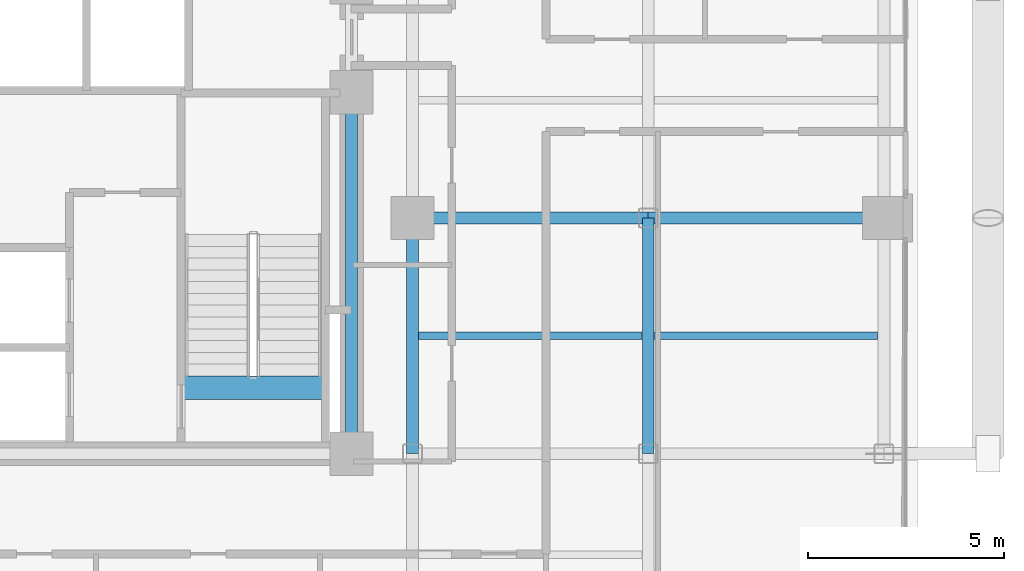
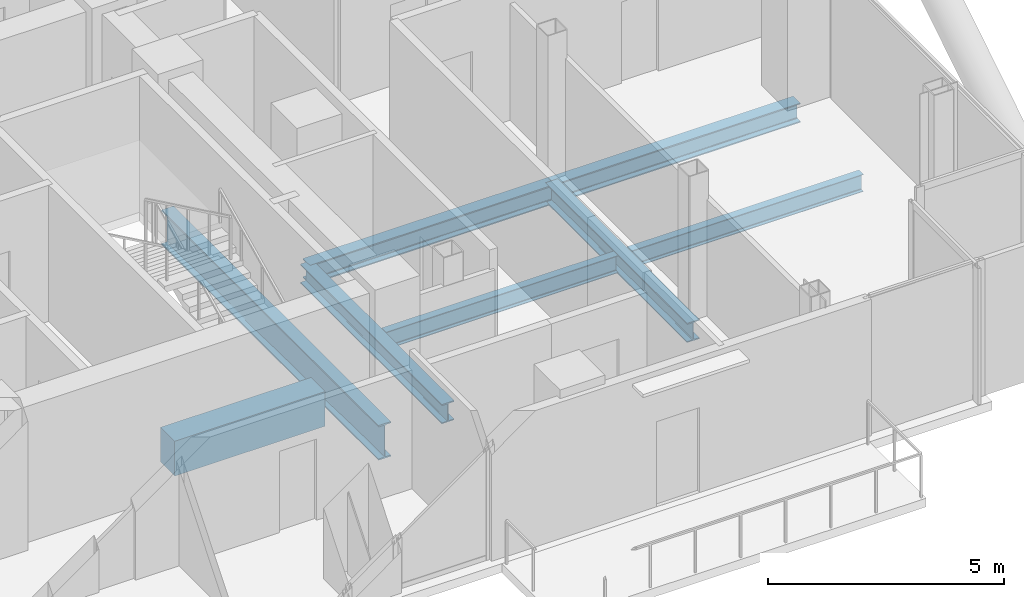
# One storey, part 11 of 28: 8 beams.
"""IFC4 building model written with IfcOpenShell, lengths in metres."""

from ifc_helpers import new_model, si_unit, direction, frame, origin, origin_2d, place, context, subcontext, project, spatial, rectangle, i_section, extrude, material, material_profile, profile_set, type_object, element, save


model = new_model("IFC4")

# Units and contexts
model_context = context("Model", 3, precision=1e-05, world=origin(), true_north=direction((0.0, 1.0)))
body_context = subcontext(model_context, "Body", "Model", "MODEL_VIEW")
ifc_project = project(units=[si_unit("LENGTHUNIT", "METRE"), si_unit("AREAUNIT", "SQUARE_METRE"), si_unit("VOLUMEUNIT", "CUBIC_METRE"), si_unit("PLANEANGLEUNIT", "RADIAN"), si_unit("MASSUNIT", "GRAM", prefix="KILO"), si_unit("THERMODYNAMICTEMPERATUREUNIT", "KELVIN"), si_unit("POWERUNIT", "WATT")], contexts=[model_context])

# Site, building, storey
site_placement = place(None, origin())
site = spatial("IfcSite", under=ifc_project, at=site_placement, CompositionType="ELEMENT")
building_placement = place(site_placement, origin())
building = spatial("IfcBuilding", under=site, at=building_placement, Name="Svarakhadi Broadcast Tower", CompositionType="ELEMENT")
storey_placement = place(building_placement, frame((0.0, 0.0, 149.39990234375)))
storey = spatial("IfcBuildingStorey", under=building, at=storey_placement, Name="L36", CompositionType="ELEMENT", Elevation=149.39990234375)

# Beams
ifc_material_1 = material(Name="Steel S355J2 (IS 2062 E350C)", Category="steel")
ifc_material_profile_1 = material_profile(ifc_material_1, i_section(OverallWidth=0.18994140625, OverallDepth=0.449951171875, WebThickness=0.009521484375, FlangeThickness=0.0146484375, FilletRadius=0.02099609375, at=origin_2d()), Name="NPB 450x190x78")
ifc_profile_set_1 = profile_set([ifc_material_profile_1], Name="Steel S355J2 (IS 2062 E350C)")
beam_type_1 = type_object("IfcBeamType", Name="Beam_NPB450", PredefinedType="BEAM", material=ifc_profile_set_1)
for number, where, z_axis, x_axis, name in (
    (1, (35.31005859375, 9.0, -0.449951171875), (1.0, 0.0, 0.0), (0.0, 1.0, 0.0), "L36 Secondary Composite Beam SB020"),
    (2, (41.31005859375, 9.0, -0.449951171875), (1.0, 0.0, 0.0), (0.0, 1.0, 0.0), "L36 Secondary Composite Beam SB022"),
):
    element("IfcBeam", number, at=place(storey_placement, frame(where, z_axis=z_axis, x_axis=x_axis)), inside=storey, type_object=beam_type_1, Name=name, PredefinedType="BEAM", context=body_context, shape_type="SweptSolid", body=[
        extrude(i_section(OverallWidth=0.18994140625, OverallDepth=0.449951171875, WebThickness=0.009521484375, FlangeThickness=0.0146484375, FilletRadius=0.02099609375, at=origin_2d()), origin(), (0.0, 0.0, 1.0), 5.679931640625),
    ])
ifc_material_2 = material(Name="Concrete C50/60 (IS 456 M60)", Category="concrete")
ifc_material_profile_2 = material_profile(ifc_material_2, rectangle(XDim=0.60009765625, YDim=0.89990234375, at=origin_2d()), Name="RC 600x900")
ifc_profile_set_2 = profile_set([ifc_material_profile_2], Name="Concrete C50/60 (IS 456 M60)")
beam_type_2 = type_object("IfcBeamType", Name="Coupling_RC600", PredefinedType="USERDEFINED", material=ifc_profile_set_2)
beam_1_placement = place(storey_placement, frame((29.260009765625, 7.679931640625, -0.449951171875), z_axis=(1.0, 0.0, 0.0), x_axis=(0.0, 1.0, 0.0)))
element("IfcBeam", 3, at=beam_1_placement, inside=storey, type_object=beam_type_2, Name="L36 Stair ST-02 Landing Throat Trimmer Beam CB-01", ObjectType="GIRDER", PredefinedType="USERDEFINED", context=body_context, shape_type="SweptSolid", body=[
    extrude(rectangle(XDim=0.60009765625, YDim=0.89990234375, at=origin_2d()), origin(), (0.0, 0.0, 1.0), 3.679931640625),
])
ifc_material_profile_3 = material_profile(ifc_material_1, i_section(OverallWidth=0.300048828125, OverallDepth=0.5, WebThickness=0.014404296875, FlangeThickness=0.028076171875, FilletRadius=0.027099609375, at=origin_2d()), Name="WPB 500x300x187")
ifc_profile_set_3 = profile_set([ifc_material_profile_3], Name="Steel S355J2 (IS 2062 E350C)")
beam_type_3 = type_object("IfcBeamType", Name="Girder_WPB500", PredefinedType="USERDEFINED", material=ifc_profile_set_3)
for number, where, z_axis, x_axis, name in (
    (4, (35.14990234375, 12.0, -0.474853515625), (1.0, 0.0, 0.0), (0.0, 1.0, 0.0), "L36 Primary E-W Girder G021"),
    (5, (41.14990234375, 12.0, -0.474853515625), (1.0, 0.0, 0.0), (0.0, 1.0, 0.0), "L36 Primary E-W Girder G022"),
    (6, (35.14990234375, 6.0, -0.474853515625), (0.0, 1.0, 0.0), (-1.0, 0.0, 0.0), "L36 Primary N-S Girder G068"),
    (7, (41.14990234375, 6.0, -0.474853515625), (0.0, 1.0, 0.0), (-1.0, 0.0, 0.0), "L36 Primary N-S Girder G071"),
):
    element("IfcBeam", number, at=place(storey_placement, frame(where, z_axis=z_axis, x_axis=x_axis)), inside=storey, type_object=beam_type_3, Name=name, ObjectType="GIRDER", PredefinedType="USERDEFINED", context=body_context, shape_type="SweptSolid", body=[
        extrude(i_section(OverallWidth=0.300048828125, OverallDepth=0.5, WebThickness=0.014404296875, FlangeThickness=0.028076171875, FilletRadius=0.027099609375, at=origin_2d()), origin(), (0.0, 0.0, 1.0), 6.0),
    ])
ifc_material_3 = material(Name="Steel S460ML (IS 2062 E450BR)", Category="steel")
ifc_material_profile_4 = material_profile(ifc_material_3, i_section(OverallWidth=0.300048828125, OverallDepth=0.89990234375, WebThickness=0.0185546875, FlangeThickness=0.034912109375, FilletRadius=0.030029296875, at=origin_2d()), Name="WPB 900x300x291")
ifc_profile_set_4 = profile_set([ifc_material_profile_4], Name="Steel S460ML (IS 2062 E450BR)")
beam_type_4 = type_object("IfcBeamType", Name="Girder_WPB900", PredefinedType="USERDEFINED", material=ifc_profile_set_4)
beam_2_placement = place(storey_placement, frame((33.60009765625, 6.0, -0.6748046875), z_axis=(0.0, 1.0, 0.0), x_axis=(-1.0, 0.0, 0.0)))
element("IfcBeam", 8, at=beam_2_placement, inside=storey, type_object=beam_type_4, Name="L36 Primary N-S Girder G065", ObjectType="GIRDER", PredefinedType="USERDEFINED", context=body_context, shape_type="SweptSolid", body=[
    extrude(i_section(OverallWidth=0.300048828125, OverallDepth=0.89990234375, WebThickness=0.0185546875, FlangeThickness=0.034912109375, FilletRadius=0.030029296875, at=origin_2d()), origin(), (0.0, 0.0, 1.0), 9.199951171875),
])

save(model, "model.ifc")
